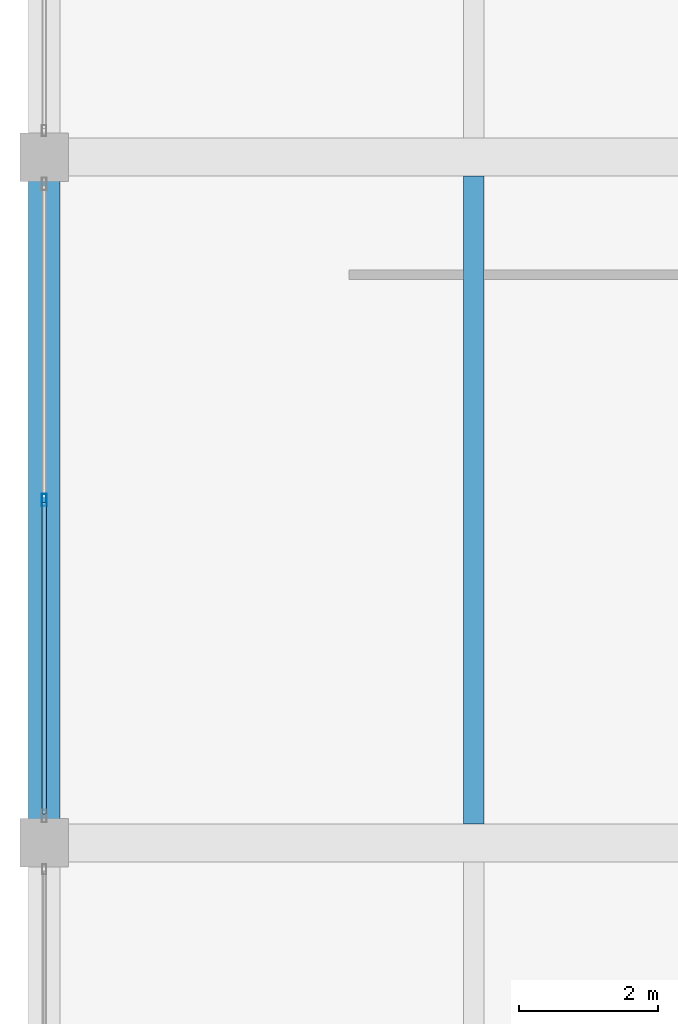
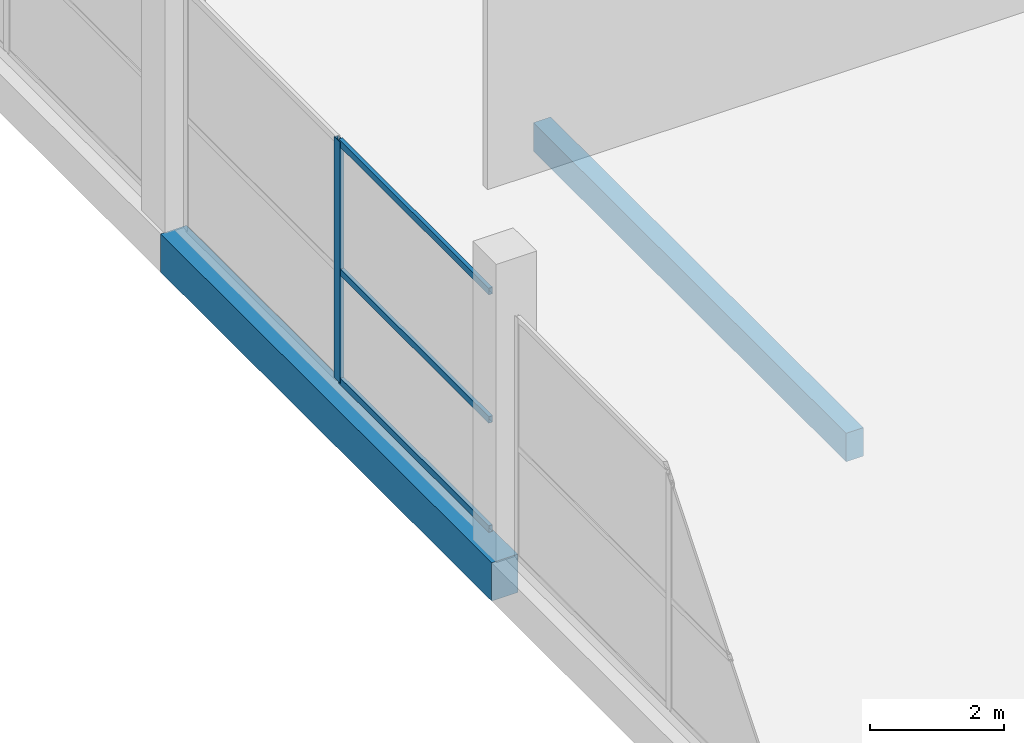
# One storey, part 25 of 74: 4 members, 2 beams, 1 element without a shape of its own.
"""IFC4 building model written with IfcOpenShell, lengths in metres."""

from ifc_helpers import new_model, si_unit, direction, frame, origin, origin_2d, place, context, subcontext, project, spatial, rectangle, hollow_rectangle, extrude, material, layer, layer_set, material_profile, profile_set, type_object, element, aggregate, save


model = new_model("IFC4")

# Units and contexts
model_context = context("Model", 3, precision=1e-05, world=origin(), true_north=direction((0.0, 1.0)))
body_context = subcontext(model_context, "Body", "Model", "MODEL_VIEW")
ifc_project = project(units=[si_unit("LENGTHUNIT", "METRE"), si_unit("AREAUNIT", "SQUARE_METRE"), si_unit("VOLUMEUNIT", "CUBIC_METRE"), si_unit("PLANEANGLEUNIT", "RADIAN"), si_unit("MASSUNIT", "GRAM", prefix="KILO")], contexts=[model_context])

# Site, building, storey
site_placement = place(None, origin())
site = spatial("IfcSite", under=ifc_project, at=site_placement, CompositionType="ELEMENT")
building_placement = place(site_placement, origin())
building = spatial("IfcBuilding", under=site, at=building_placement, Name="Sillaruma Civic Art Gallery", CompositionType="ELEMENT")
storey_placement = place(building_placement, frame((0.0, 0.0, 5.43994140625)))
storey = spatial("IfcBuildingStorey", under=building, at=storey_placement, Name="L01", CompositionType="ELEMENT", Elevation=5.43994140625)

# Beams
ifc_material_1 = material(Name="Concrete H35 (35 MPa)", Category="concrete")
ifc_material_profile_1 = material_profile(ifc_material_1, rectangle(XDim=0.300048828125, YDim=0.52001953125, at=origin_2d()), Name="RCB300x520")
ifc_profile_set_1 = profile_set([ifc_material_profile_1], Name="Concrete H35 (35 MPa)")
beam_type_1 = type_object("IfcBeamType", Name="BM-JOIST-RCB300x520", PredefinedType="JOIST", material=ifc_profile_set_1)
beam_1_placement = place(storey_placement, frame((6.199951171875, 99.27490234375, -0.52001953125), z_axis=(0.0, 1.0, 0.0), x_axis=(-1.0, 0.0, 0.0)))
element("IfcBeam", 1, at=beam_1_placement, inside=storey, type_object=beam_type_1, Name="Floor Joist JR-01 (L00:AB:11-12)", PredefinedType="JOIST", context=body_context, shape_type="SweptSolid", body=[
    extrude(rectangle(XDim=0.300048828125, YDim=0.52001953125, at=origin_2d()), origin(), (0.0, 0.0, 1.0), 9.35009765625),
])
ifc_material_profile_2 = material_profile(ifc_material_1, rectangle(XDim=0.449951171875, YDim=0.699951171875, at=origin_2d()), Name="RCB450x700")
ifc_profile_set_2 = profile_set([ifc_material_profile_2], Name="Concrete H35 (35 MPa)")
beam_type_2 = type_object("IfcBeamType", Name="BM-SPANDREL-RCB450x700", PredefinedType="SPANDREL", material=ifc_profile_set_2)
beam_2_placement = place(storey_placement, frame((0.0, 99.0, -0.60986328125), z_axis=(0.0, 1.0, 0.0), x_axis=(-1.0, 0.0, 0.0)))
element("IfcBeam", 2, at=beam_2_placement, inside=storey, type_object=beam_type_2, Name="Beam BS-03 (L00:A:11-12)", PredefinedType="SPANDREL", context=body_context, shape_type="SweptSolid", body=[
    extrude(rectangle(XDim=0.449951171875, YDim=0.699951171875, at=origin_2d()), origin(), (0.0, 0.0, 1.0), 9.89990234375),
])

# Curtain wall, members
ifc_material_2 = material(Name="Thermally Broken Extruded Aluminium 6063-T6", Category="aluminium")
ifc_layer = layer(ifc_material_2, 0.179931640625, Name="Thermally Broken Extruded Aluminium 6063-T6")
ifc_layer_set = layer_set([ifc_layer], Name="Thermally Broken Extruded Aluminium 6063-T6")
curtain_wall_type = type_object("IfcCurtainWallType", Name="CW-UNI-09", PredefinedType="NOTDEFINED", material=ifc_layer_set)
curtain_wall_placement = place(storey_placement, origin())
curtain_wall = element("IfcCurtainWall", 3, at=curtain_wall_placement, inside=storey, type_object=curtain_wall_type, Name="Unitised Curtain Wall CW-09 (CW-L01-WSTR-3)", PredefinedType="NOTDEFINED")
ifc_material_profile_3 = material_profile(ifc_material_2, hollow_rectangle(XDim=0.070068359375, YDim=0.179931640625, WallThickness=0.00390625, at=origin_2d()), Name="CWM70x180")
ifc_profile_set_3 = profile_set([ifc_material_profile_3], Name="Thermally Broken Extruded Aluminium 6063-T6")
member_type_1 = type_object("IfcMemberType", Name="MEM-MUL-CWM70x180", PredefinedType="MULLION", material=ifc_profile_set_3)
member_1_placement = place(storey_placement, frame((0.0, 103.949951171875, 0.0), z_axis=(0.0, 0.0, 1.0), x_axis=(-1.0, 0.0, 0.0)))
member_1 = element("IfcMember", 4, at=member_1_placement, type_object=member_type_1, Name="CW-09 mullion 2", PredefinedType="MULLION", context=body_context, shape_type="SweptSolid", body=[
    extrude(hollow_rectangle(XDim=0.070068359375, YDim=0.179931640625, WallThickness=0.00390625, at=origin_2d()), origin(), (0.0, 0.0, 1.0), 4.400146484375),
])
ifc_material_profile_4 = material_profile(ifc_material_2, hollow_rectangle(XDim=0.06494140625, YDim=0.1201171875, WallThickness=0.00341796875, at=origin_2d()), Name="CWT65x120")
ifc_profile_set_4 = profile_set([ifc_material_profile_4], Name="Thermally Broken Extruded Aluminium 6063-T6")
member_type_2 = type_object("IfcMemberType", Name="MEM-TRN-CWT65x120", PredefinedType="USERDEFINED", material=ifc_profile_set_4)
member_2_placement = place(storey_placement, frame((0.0, 99.419921875, 0.032470703125), z_axis=(0.0, 1.0, 0.0), x_axis=(-1.0, 0.0, 0.0)))
member_2 = element("IfcMember", 5, at=member_2_placement, type_object=member_type_2, Name="CW-09 transom 1.1", ObjectType="TRANSOM", PredefinedType="USERDEFINED", context=body_context, shape_type="SweptSolid", body=[
    extrude(hollow_rectangle(XDim=0.06494140625, YDim=0.1201171875, WallThickness=0.00341796875, at=origin_2d()), origin(), (0.0, 0.0, 1.0), 4.4951171875),
])
member_3_placement = place(storey_placement, frame((0.0, 99.419921875, 2.024169921875), z_axis=(0.0, 1.0, 0.0), x_axis=(-1.0, 0.0, 0.0)))
member_3 = element("IfcMember", 6, at=member_3_placement, type_object=member_type_2, Name="CW-09 transom 1.2", ObjectType="TRANSOM", PredefinedType="USERDEFINED", context=body_context, shape_type="SweptSolid", body=[
    extrude(hollow_rectangle(XDim=0.06494140625, YDim=0.1201171875, WallThickness=0.00341796875, at=origin_2d()), origin(), (0.0, 0.0, 1.0), 4.4951171875),
])
member_4_placement = place(storey_placement, frame((0.0, 99.419921875, 4.36767578125), z_axis=(0.0, 1.0, 0.0), x_axis=(-1.0, 0.0, 0.0)))
member_4 = element("IfcMember", 7, at=member_4_placement, type_object=member_type_2, Name="CW-09 transom 1.3", ObjectType="TRANSOM", PredefinedType="USERDEFINED", context=body_context, shape_type="SweptSolid", body=[
    extrude(hollow_rectangle(XDim=0.06494140625, YDim=0.1201171875, WallThickness=0.00341796875, at=origin_2d()), origin(), (0.0, 0.0, 1.0), 4.4951171875),
])
aggregate(curtain_wall, [member_1, member_2, member_3, member_4])

save(model, "model.ifc")
